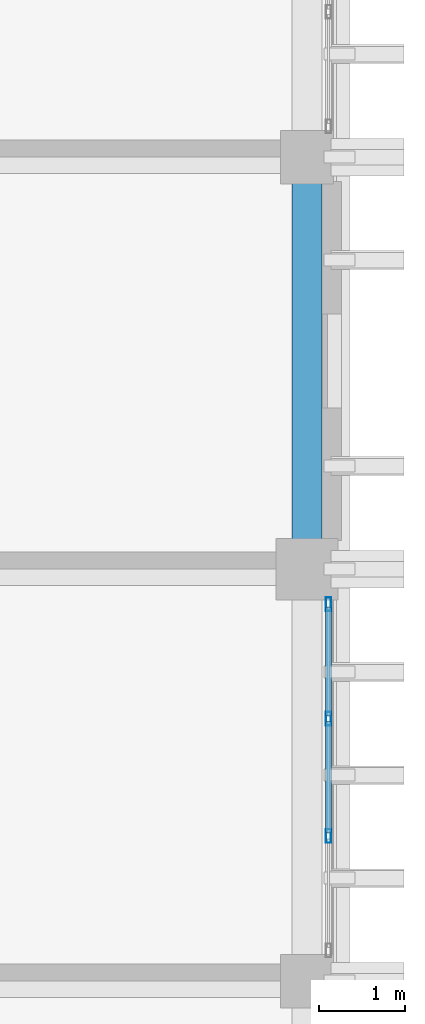
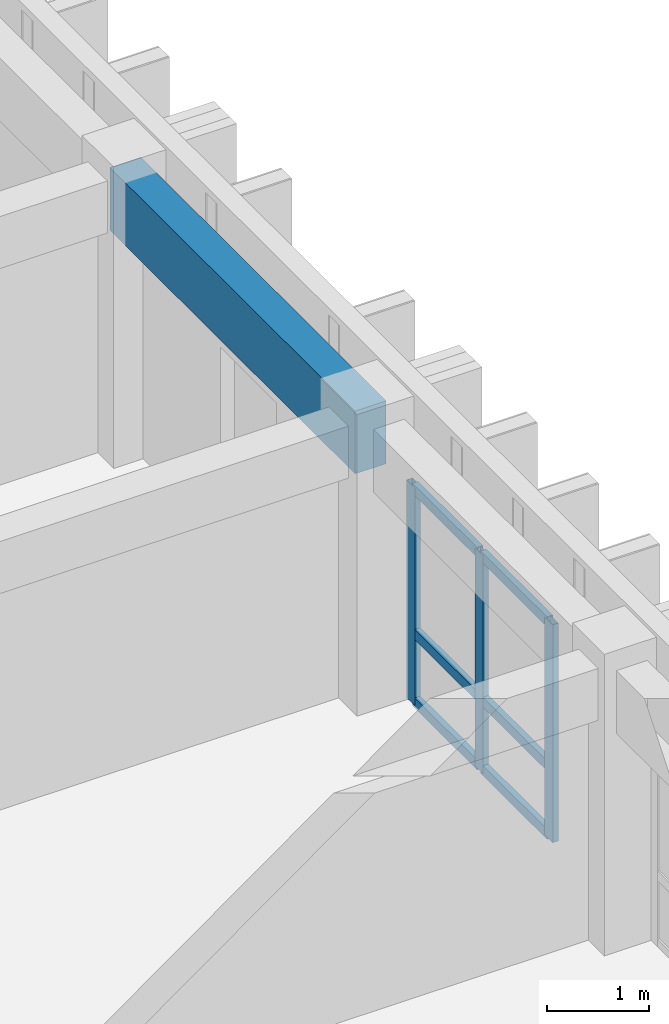
# One storey, part 24 of 59: 9 members, 1 beam, 1 element without a shape of its own.
"""IFC4 building model written with IfcOpenShell, lengths in metres."""

from ifc_helpers import new_model, si_unit, direction, frame, origin, origin_2d, place, context, subcontext, project, spatial, rectangle, hollow_rectangle, extrude, material, layer, layer_set, material_profile, profile_set, type_object, element, aggregate, save


model = new_model("IFC4")

# Units and contexts
model_context = context("Model", 3, precision=1e-05, world=origin(), true_north=direction((0.0, 1.0)))
body_context = subcontext(model_context, "Body", "Model", "MODEL_VIEW")
ifc_project = project(units=[si_unit("LENGTHUNIT", "METRE"), si_unit("AREAUNIT", "SQUARE_METRE"), si_unit("VOLUMEUNIT", "CUBIC_METRE"), si_unit("PLANEANGLEUNIT", "RADIAN"), si_unit("MASSUNIT", "GRAM", prefix="KILO")], contexts=[model_context])

# Site, building, storey
site_placement = place(None, origin())
site = spatial("IfcSite", under=ifc_project, at=site_placement, CompositionType="ELEMENT")
building_placement = place(site_placement, origin())
building = spatial("IfcBuilding", under=site, at=building_placement, Name="Nakhvara Creek Congress Hotel", CompositionType="ELEMENT")
storey_placement = place(building_placement, frame((0.0, 0.0, 31.800048828125)))
storey = spatial("IfcBuildingStorey", under=building, at=storey_placement, Name="L07", CompositionType="ELEMENT", Elevation=31.800048828125)

# Beam
ifc_material_1 = material(Name="Concrete C40/50", Category="concrete")
ifc_material_profile_1 = material_profile(ifc_material_1, rectangle(XDim=0.35009765625, YDim=0.75, at=origin_2d()), Name="RC-SPANDREL 350x750", Category="LoadBearing")
ifc_profile_set_1 = profile_set([ifc_material_profile_1], Name="Concrete C40/50")
beam_type = type_object("IfcBeamType", Name="BM-SPN-350X750", PredefinedType="SPANDREL", material=ifc_profile_set_1)
beam_placement = place(storey_placement, frame((179.35009765625, 86.39990234375, 2.98486328125), z_axis=(0.0, 1.0, 0.0), x_axis=(-1.0, 0.0, 0.0)))
element("IfcBeam", 1, at=beam_placement, inside=storey, type_object=beam_type, Name="Beam SP1-L07-2399", PredefinedType="SPANDREL", context=body_context, shape_type="SweptSolid", body=[
    extrude(rectangle(XDim=0.35009765625, YDim=0.75, at=origin_2d()), origin(), (0.0, 0.0, 1.0), 4.800048828125),
])

# Curtain wall, members
ifc_material_2 = material(Name="Bronze-anodised aluminium AW-6063-T6 and double-silver low-E glass", Category="aluminium")
ifc_layer = layer(ifc_material_2, 0.199951171875)
ifc_layer_set = layer_set([ifc_layer], Name="Bronze-anodised aluminium AW-6063-T6 and double-silver low-E glass")
curtain_wall_type = type_object("IfcCurtainWallType", Name="CW-HTL-UNIT", PredefinedType="USERDEFINED", material=ifc_layer_set)
curtain_wall_placement = place(storey_placement, origin())
curtain_wall = element("IfcCurtainWall", 2, at=curtain_wall_placement, inside=storey, type_object=curtain_wall_type, Name="Curtain Wall CW263", ObjectType="UNITISED", PredefinedType="USERDEFINED")
ifc_material_3 = material(Name="Bronze-anodised aluminium AW-6063-T6", Category="aluminium")
ifc_material_profile_2 = material_profile(ifc_material_3, hollow_rectangle(XDim=0.06494140625, YDim=0.159912109375, WallThickness=0.00390625, at=origin_2d()), Name="ALU-MULL 65x160x4", Category="LoadBearing")
ifc_profile_set_2 = profile_set([ifc_material_profile_2], Name="Bronze-anodised aluminium AW-6063-T6")
member_type_1 = type_object("IfcMemberType", Name="CW-MULL-160", PredefinedType="MULLION", material=ifc_profile_set_2)
member_1_placement = place(storey_placement, frame((179.60009765625, 85.992431640625, 0.0), z_axis=(0.0, 0.0, 1.0), x_axis=(1.0, 0.0, 0.0)))
member_1 = element("IfcMember", 3, at=member_1_placement, type_object=member_type_1, Name="CW263 mullion 1", PredefinedType="MULLION", context=body_context, shape_type="SweptSolid", body=[
    extrude(hollow_rectangle(XDim=0.06494140625, YDim=0.159912109375, WallThickness=0.00390625, at=origin_2d()), origin(), (0.0, 0.0, 1.0), 2.60205078125),
])
member_2_placement = place(storey_placement, frame((179.60009765625, 84.658447265625, 0.0), z_axis=(0.0, 0.0, 1.0), x_axis=(1.0, 0.0, 0.0)))
member_2 = element("IfcMember", 4, at=member_2_placement, type_object=member_type_1, Name="CW263 mullion 2", PredefinedType="MULLION", context=body_context, shape_type="SweptSolid", body=[
    extrude(hollow_rectangle(XDim=0.06494140625, YDim=0.159912109375, WallThickness=0.00390625, at=origin_2d()), origin(), (0.0, 0.0, 1.0), 2.60205078125),
])
member_3_placement = place(storey_placement, frame((179.60009765625, 83.291748046875, 0.0), z_axis=(0.0, 0.0, 1.0), x_axis=(1.0, 0.0, 0.0)))
member_3 = element("IfcMember", 5, at=member_3_placement, type_object=member_type_1, Name="CW263 mullion 3", PredefinedType="MULLION", context=body_context, shape_type="SweptSolid", body=[
    extrude(hollow_rectangle(XDim=0.06494140625, YDim=0.159912109375, WallThickness=0.00390625, at=origin_2d()), origin(), (0.0, 0.0, 1.0), 2.60205078125),
])
ifc_material_profile_3 = material_profile(ifc_material_3, hollow_rectangle(XDim=0.06494140625, YDim=0.1201171875, WallThickness=0.00390625, at=origin_2d()), Name="ALU-TRAN 65x120x4", Category="LoadBearing")
ifc_profile_set_3 = profile_set([ifc_material_profile_3], Name="Bronze-anodised aluminium AW-6063-T6")
member_type_2 = type_object("IfcMemberType", Name="CW-TRAN-120", PredefinedType="USERDEFINED", material=ifc_profile_set_3)
member_4_placement = place(storey_placement, frame((179.60009765625, 85.9599609375, 0.032470703125), z_axis=(0.0, -1.0, 0.0), x_axis=(1.0, 0.0, 0.0)))
member_4 = element("IfcMember", 6, at=member_4_placement, type_object=member_type_2, Name="CW263 transom 1.1", ObjectType="TRANSOM", PredefinedType="USERDEFINED", context=body_context, shape_type="SweptSolid", body=[
    extrude(hollow_rectangle(XDim=0.06494140625, YDim=0.1201171875, WallThickness=0.00390625, at=origin_2d()), origin(), (0.0, 0.0, 1.0), 1.26904296875),
])
member_5_placement = place(storey_placement, frame((179.60009765625, 85.9599609375, 0.849853515625), z_axis=(0.0, -1.0, 0.0), x_axis=(1.0, 0.0, 0.0)))
member_5 = element("IfcMember", 7, at=member_5_placement, type_object=member_type_2, Name="CW263 transom 1.2", ObjectType="TRANSOM", PredefinedType="USERDEFINED", context=body_context, shape_type="SweptSolid", body=[
    extrude(hollow_rectangle(XDim=0.06494140625, YDim=0.1201171875, WallThickness=0.00390625, at=origin_2d()), origin(), (0.0, 0.0, 1.0), 1.26904296875),
])
member_6_placement = place(storey_placement, frame((179.60009765625, 85.9599609375, 2.5693359375), z_axis=(0.0, -1.0, 0.0), x_axis=(1.0, 0.0, 0.0)))
member_6 = element("IfcMember", 8, at=member_6_placement, type_object=member_type_2, Name="CW263 transom 1.3", ObjectType="TRANSOM", PredefinedType="USERDEFINED", context=body_context, shape_type="SweptSolid", body=[
    extrude(hollow_rectangle(XDim=0.06494140625, YDim=0.1201171875, WallThickness=0.00390625, at=origin_2d()), origin(), (0.0, 0.0, 1.0), 1.26904296875),
])
member_7_placement = place(storey_placement, frame((179.60009765625, 84.625732421875, 0.032470703125), z_axis=(0.0, -1.0, 0.0), x_axis=(1.0, 0.0, 0.0)))
member_7 = element("IfcMember", 9, at=member_7_placement, type_object=member_type_2, Name="CW263 transom 2.1", ObjectType="TRANSOM", PredefinedType="USERDEFINED", context=body_context, shape_type="SweptSolid", body=[
    extrude(hollow_rectangle(XDim=0.06494140625, YDim=0.1201171875, WallThickness=0.00390625, at=origin_2d()), origin(), (0.0, 0.0, 1.0), 1.301513671875),
])
member_8_placement = place(storey_placement, frame((179.60009765625, 84.625732421875, 0.849853515625), z_axis=(0.0, -1.0, 0.0), x_axis=(1.0, 0.0, 0.0)))
member_8 = element("IfcMember", 10, at=member_8_placement, type_object=member_type_2, Name="CW263 transom 2.2", ObjectType="TRANSOM", PredefinedType="USERDEFINED", context=body_context, shape_type="SweptSolid", body=[
    extrude(hollow_rectangle(XDim=0.06494140625, YDim=0.1201171875, WallThickness=0.00390625, at=origin_2d()), origin(), (0.0, 0.0, 1.0), 1.301513671875),
])
member_9_placement = place(storey_placement, frame((179.60009765625, 84.625732421875, 2.5693359375), z_axis=(0.0, -1.0, 0.0), x_axis=(1.0, 0.0, 0.0)))
member_9 = element("IfcMember", 11, at=member_9_placement, type_object=member_type_2, Name="CW263 transom 2.3", ObjectType="TRANSOM", PredefinedType="USERDEFINED", context=body_context, shape_type="SweptSolid", body=[
    extrude(hollow_rectangle(XDim=0.06494140625, YDim=0.1201171875, WallThickness=0.00390625, at=origin_2d()), origin(), (0.0, 0.0, 1.0), 1.301513671875),
])
aggregate(curtain_wall, [member_1, member_2, member_3, member_4, member_5, member_6, member_7, member_8, member_9])

save(model, "model.ifc")
